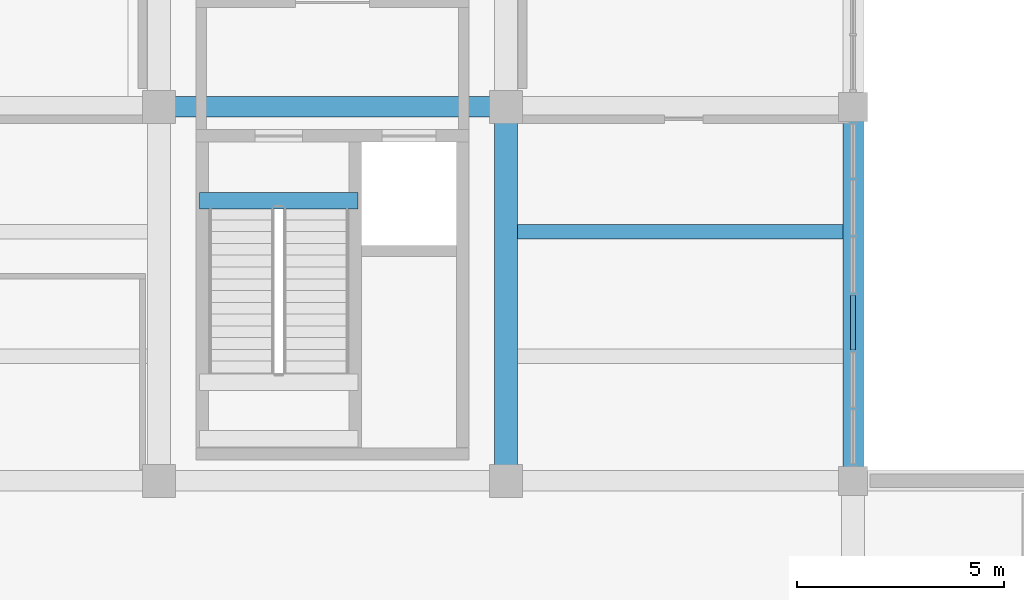
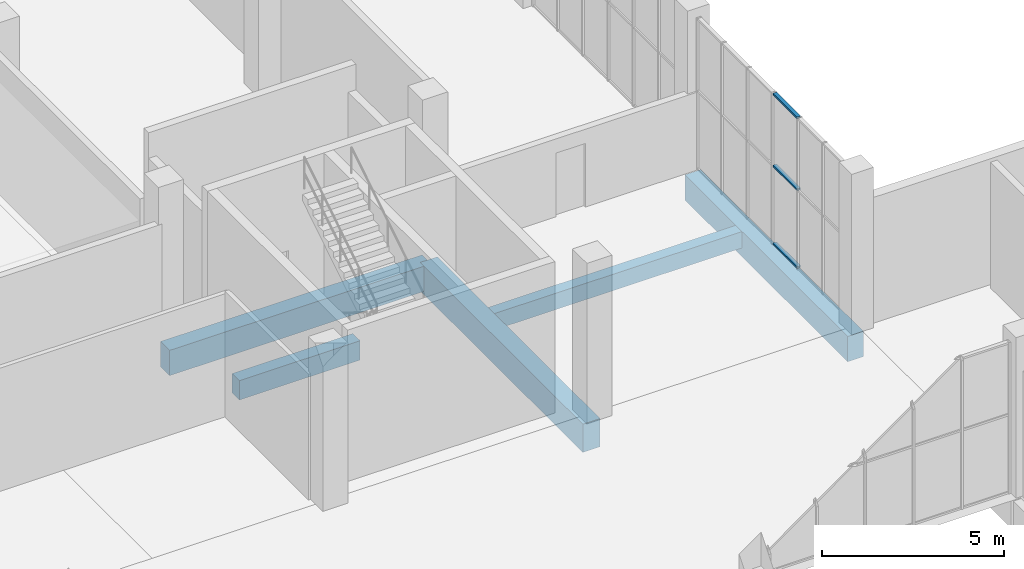
# One storey, part 56 of 91: 5 beams, 3 members, 1 element without a shape of its own.
"""IFC4 building model written with IfcOpenShell, lengths in metres."""

from ifc_helpers import new_model, si_unit, direction, frame, origin, origin_2d, place, context, subcontext, project, spatial, rectangle, hollow_rectangle, extrude, material, material_profile, profile_set, type_object, element, aggregate, save


model = new_model("IFC4")

# Units and contexts
model_context = context("Model", 3, precision=1e-05, world=origin(), true_north=direction((0.0, 1.0)))
body_context = subcontext(model_context, "Body", "Model", "MODEL_VIEW")
ifc_project = project(units=[si_unit("LENGTHUNIT", "METRE"), si_unit("AREAUNIT", "SQUARE_METRE"), si_unit("VOLUMEUNIT", "CUBIC_METRE"), si_unit("PLANEANGLEUNIT", "RADIAN"), si_unit("MASSUNIT", "GRAM", prefix="KILO")], contexts=[model_context])

# Site, building, storey
site_placement = place(None, origin())
site = spatial("IfcSite", under=ifc_project, at=site_placement, CompositionType="ELEMENT")
building_placement = place(site_placement, origin())
building = spatial("IfcBuilding", under=site, at=building_placement, Name="Khurvash Pelagic Aquarium", CompositionType="ELEMENT")
storey_placement = place(building_placement, origin())
storey = spatial("IfcBuildingStorey", under=building, at=storey_placement, Name="L00", CompositionType="ELEMENT", Elevation=0.0)

# Beams
ifc_material_1 = material(Name="Concrete C40/50", Category="concrete")
ifc_material_profile_1 = material_profile(ifc_material_1, rectangle(XDim=0.550048828125, YDim=0.949951171875, at=origin_2d()), Name="RC550X950")
ifc_profile_set_1 = profile_set([ifc_material_profile_1], Name="Concrete C40/50")
beam_type_1 = type_object("IfcBeamType", Name="BM-02", PredefinedType="BEAM", material=ifc_profile_set_1)
beam_1_placement = place(storey_placement, frame((117.60009765625, 84.090087890625, -0.794921875), z_axis=(0.0, 1.0, 0.0), x_axis=(-1.0, 0.0, 0.0)))
element("IfcBeam", 1, at=beam_1_placement, inside=storey, type_object=beam_type_1, Name="L00 Primary Girder BM-02 00135", PredefinedType="BEAM", context=body_context, shape_type="SweptSolid", body=[
    extrude(rectangle(XDim=0.550048828125, YDim=0.949951171875, at=origin_2d()), origin(), (0.0, 0.0, 1.0), 8.969970703125),
])
ifc_material_profile_2 = material_profile(ifc_material_1, rectangle(XDim=0.5, YDim=0.85009765625, at=origin_2d()), Name="RC500X850")
ifc_profile_set_2 = profile_set([ifc_material_profile_2], Name="Concrete C40/50")
beam_type_2 = type_object("IfcBeamType", Name="BM-03", PredefinedType="BEAM", material=ifc_profile_set_2)
beam_2_placement = place(storey_placement, frame((109.239990234375, 93.10009765625, -0.7451171875), z_axis=(1.0, 0.0, 0.0), x_axis=(0.0, 1.0, 0.0)))
element("IfcBeam", 2, at=beam_2_placement, inside=storey, type_object=beam_type_2, Name="L00 Primary Girder BM-03 00068", PredefinedType="BEAM", context=body_context, shape_type="SweptSolid", body=[
    extrude(rectangle(XDim=0.5, YDim=0.85009765625, at=origin_2d()), origin(), (0.0, 0.0, 1.0), 8.320068359375),
])
ifc_material_2 = material(Name="Concrete C35/45", Category="concrete")
ifc_material_profile_3 = material_profile(ifc_material_2, rectangle(XDim=0.39990234375, YDim=0.64990234375, at=origin_2d()), Name="RC400X650")
ifc_profile_set_3 = profile_set([ifc_material_profile_3], Name="Concrete C35/45")
beam_type_3 = type_object("IfcBeamType", Name="BM-05", PredefinedType="BEAM", material=ifc_profile_set_3)
beam_3_placement = place(storey_placement, frame((110.179931640625, 90.830078125, -0.64501953125), z_axis=(1.0, 0.0, 0.0), x_axis=(0.0, 1.0, 0.0)))
element("IfcBeam", 3, at=beam_3_placement, inside=storey, type_object=beam_type_3, Name="L00 Stair ST-06 Header Trimmer Beam BM-05", PredefinedType="BEAM", context=body_context, shape_type="SweptSolid", body=[
    extrude(rectangle(XDim=0.39990234375, YDim=0.64990234375, at=origin_2d()), origin(), (0.0, 0.0, 1.0), 3.840087890625),
])

# Curtain wall, members
ifc_material_3 = material(Name="Anodised aluminium and low-E laminated glass", Category="aluminium")
curtain_wall_type = type_object("IfcCurtainWallType", Name="CW-05", PredefinedType="USERDEFINED", material=ifc_material_3)
curtain_wall_placement = place(storey_placement, origin())
curtain_wall = element("IfcCurtainWall", 4, at=curtain_wall_placement, inside=storey, type_object=curtain_wall_type, Name="L00 Facade Unitised Curtain Wall CW-05 0061", ObjectType="UNITISED CURTAIN WALL", PredefinedType="USERDEFINED")
ifc_material_4 = material(Name="Extruded aluminium AW-6063-T6", Category="aluminium")
ifc_material_profile_4 = material_profile(ifc_material_4, hollow_rectangle(XDim=0.1201171875, YDim=0.06005859375, WallThickness=0.00390625, at=origin_2d()), Name="CWT120X60X4")
ifc_profile_set_4 = profile_set([ifc_material_profile_4], Name="Extruded aluminium AW-6063-T6")
member_type = type_object("IfcMemberType", Name="CT-02", PredefinedType="USERDEFINED", material=ifc_profile_set_4)
member_1_placement = place(storey_placement, frame((126.0, 87.215087890625, 0.030029296875), z_axis=(0.0, 1.0, 0.0), x_axis=(-1.0, 0.0, 0.0)))
member_1 = element("IfcMember", 5, at=member_1_placement, type_object=member_type, Name="CW-05 transom 3.1", ObjectType="TRANSOM", PredefinedType="USERDEFINED", context=body_context, shape_type="SweptSolid", body=[
    extrude(hollow_rectangle(XDim=0.1201171875, YDim=0.06005859375, WallThickness=0.00390625, at=origin_2d()), origin(), (0.0, 0.0, 1.0), 1.329833984375),
])
member_2_placement = place(storey_placement, frame((126.0, 87.215087890625, 2.64697265625), z_axis=(0.0, 1.0, 0.0), x_axis=(-1.0, 0.0, 0.0)))
member_2 = element("IfcMember", 6, at=member_2_placement, type_object=member_type, Name="CW-05 transom 3.2", ObjectType="TRANSOM", PredefinedType="USERDEFINED", context=body_context, shape_type="SweptSolid", body=[
    extrude(hollow_rectangle(XDim=0.1201171875, YDim=0.06005859375, WallThickness=0.00390625, at=origin_2d()), origin(), (0.0, 0.0, 1.0), 1.329833984375),
])
member_3_placement = place(storey_placement, frame((126.0, 87.215087890625, 5.06005859375), z_axis=(0.0, 1.0, 0.0), x_axis=(-1.0, 0.0, 0.0)))
member_3 = element("IfcMember", 7, at=member_3_placement, type_object=member_type, Name="CW-05 transom 3.3", ObjectType="TRANSOM", PredefinedType="USERDEFINED", context=body_context, shape_type="SweptSolid", body=[
    extrude(hollow_rectangle(XDim=0.1201171875, YDim=0.06005859375, WallThickness=0.00390625, at=origin_2d()), origin(), (0.0, 0.0, 1.0), 1.329833984375),
])
aggregate(curtain_wall, [member_1, member_2, member_3])

# Beams
ifc_material_profile_5 = material_profile(ifc_material_2, rectangle(XDim=0.35009765625, YDim=0.550048828125, at=origin_2d()), Name="RC350X550")
ifc_profile_set_5 = profile_set([ifc_material_profile_5], Name="Concrete C35/45")
beam_type_4 = type_object("IfcBeamType", Name="JS-01", PredefinedType="JOIST", material=ifc_profile_set_5)
beam_4_placement = place(storey_placement, frame((117.875, 90.0830078125, -0.594970703125), z_axis=(1.0, 0.0, 0.0), x_axis=(0.0, 1.0, 0.0)))
element("IfcBeam", 8, at=beam_4_placement, inside=storey, type_object=beam_type_4, Name="L00 Floor Joist JS-01 00238", PredefinedType="JOIST", context=body_context, shape_type="SweptSolid", body=[
    extrude(rectangle(XDim=0.35009765625, YDim=0.550048828125, at=origin_2d()), origin(), (0.0, 0.0, 1.0), 7.875),
])
ifc_material_profile_6 = material_profile(ifc_material_1, rectangle(XDim=0.5, YDim=0.85009765625, at=origin_2d()), Name="RC500X850")
ifc_profile_set_6 = profile_set([ifc_material_profile_6], Name="Concrete C40/50")
beam_type_5 = type_object("IfcBeamType", Name="SEB-03", PredefinedType="SPANDREL", material=ifc_profile_set_6)
beam_5_placement = place(storey_placement, frame((126.0, 84.090087890625, -0.7451171875), z_axis=(0.0, 1.0, 0.0), x_axis=(-1.0, 0.0, 0.0)))
element("IfcBeam", 9, at=beam_5_placement, inside=storey, type_object=beam_type_5, Name="L00 Primary Girder SEB-03 00143", PredefinedType="SPANDREL", context=body_context, shape_type="SweptSolid", body=[
    extrude(rectangle(XDim=0.5, YDim=0.85009765625, at=origin_2d()), origin(), (0.0, 0.0, 1.0), 8.969970703125),
])

save(model, "model.ifc")
